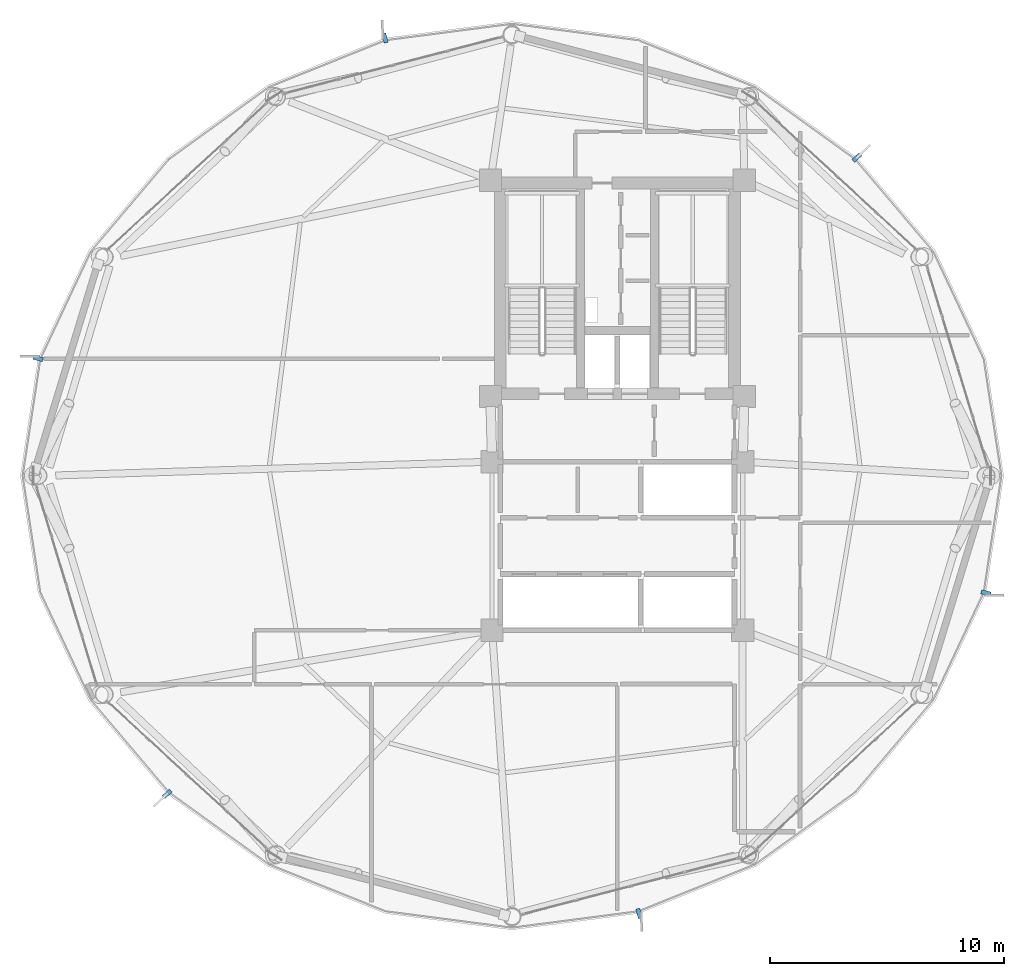
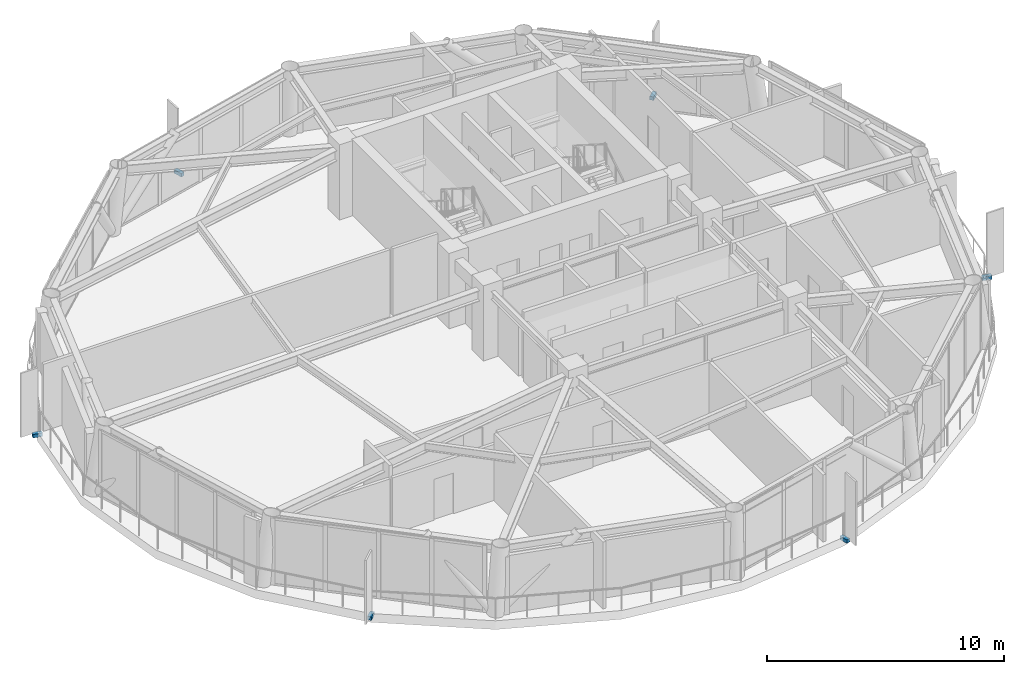
# One storey, part 23 of 26: 6 discrete accessories.
"""IFC4 building model written with IfcOpenShell, lengths in metres."""

from ifc_helpers import new_model, si_unit, direction, frame, origin, origin_2d, place, context, subcontext, project, spatial, rectangle, extrude, source, transform, mapped, material, type_object, type_shapes, element, save


model = new_model("IFC4")

# Units and contexts
model_context = context("Model", 3, precision=1e-05, world=origin(), true_north=direction((0.0, 1.0)))
body_context = subcontext(model_context, "Body", "Model", "MODEL_VIEW")
ifc_project = project(units=[si_unit("LENGTHUNIT", "METRE"), si_unit("AREAUNIT", "SQUARE_METRE"), si_unit("VOLUMEUNIT", "CUBIC_METRE"), si_unit("PLANEANGLEUNIT", "RADIAN"), si_unit("MASSUNIT", "GRAM", prefix="KILO")], contexts=[model_context])

# Site, building, storey
site_placement = place(None, origin())
site = spatial("IfcSite", under=ifc_project, at=site_placement, CompositionType="ELEMENT")
building_placement = place(site_placement, origin())
building = spatial("IfcBuilding", under=site, at=building_placement, Name="Varnakorn Sky Granary", CompositionType="ELEMENT")
storey_placement = place(building_placement, frame((0.0, 0.0, 169.5)))
storey = spatial("IfcBuildingStorey", under=building, at=storey_placement, Name="L42", CompositionType="ELEMENT", Elevation=169.5)

# Discrete accessories
ifc_material = material(Name="Steel S355JR", Category="steel")
discrete_accessory_type = type_object("IfcDiscreteAccessoryType", Name="AC-BRK-01", PredefinedType="BRACKET", material=ifc_material)
shared_shape = source(origin(), body_context, "Body", "SweptSolid", [
    extrude(rectangle(XDim=0.179931640625, YDim=0.419921875, at=origin_2d()), origin(), (0.0, 0.0, 1.0), 0.179931640625),
])
type_shapes(discrete_accessory_type, [shared_shape])
for number, where, z_axis, x_axis, name in (
    (1, (13.225341796875, 13.587158203125, -0.2001953125), (0.0, 0.0, 1.0), (-0.678131814707, 0.734940298175, 0.0), "Facade Solar-Screen Outrigger Bracket L42-02"),
    (2, (-6.92578125, 18.69482421875, -0.2001953125), (0.0, 0.0, 1.0), (-0.96036805538, -0.278734996377, 0.0), "Facade Solar-Screen Outrigger Bracket L42-04"),
    (3, (-21.74169921875, 5.007080078125, -0.2001953125), (0.0, 0.0, 1.0), (-0.240134468598, -0.970739633986, 0.0), "Facade Solar-Screen Outrigger Bracket L42-06"),
    (4, (-16.225341796875, -13.587158203125, -0.2001953125), (0.0, 0.0, 1.0), (0.678131814707, -0.734940298175, 0.0), "Facade Solar-Screen Outrigger Bracket L42-08"),
    (5, (3.92578125, -18.69482421875, -0.2001953125), (0.0, 0.0, 1.0), (0.96036805538, 0.278734996377, 0.0), "Facade Solar-Screen Outrigger Bracket L42-10"),
    (6, (18.74169921875, -5.007080078125, -0.2001953125), (0.0, 0.0, 1.0), (0.240134468598, 0.970739633986, 0.0), "Facade Solar-Screen Outrigger Bracket L42-12"),
):
    element("IfcDiscreteAccessory", number, at=place(storey_placement, frame(where, z_axis=z_axis, x_axis=x_axis)), inside=storey, type_object=discrete_accessory_type, Name=name, PredefinedType="BRACKET", context=body_context, shape_type="MappedRepresentation", body=[
        mapped(shared_shape, transform((0.0, 0.0, 0.0), x_axis=(1.0, 0.0, 0.0), y_axis=(0.0, 1.0, 0.0), z_axis=(0.0, 0.0, 1.0), scale=1.0)),
    ])

save(model, "model.ifc")
